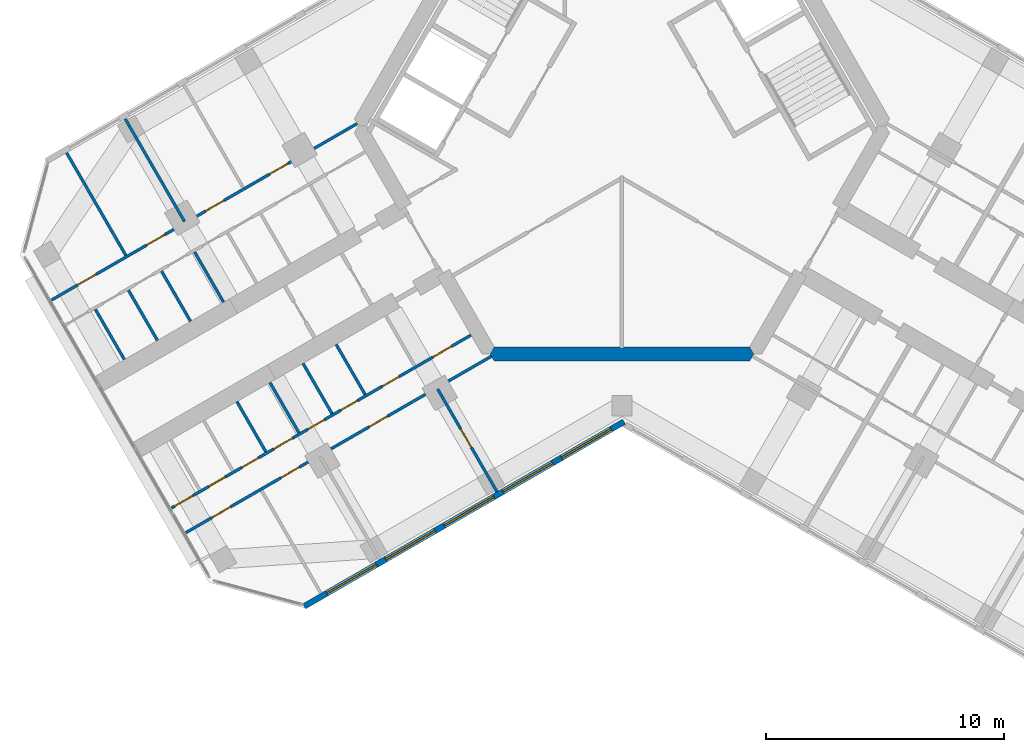
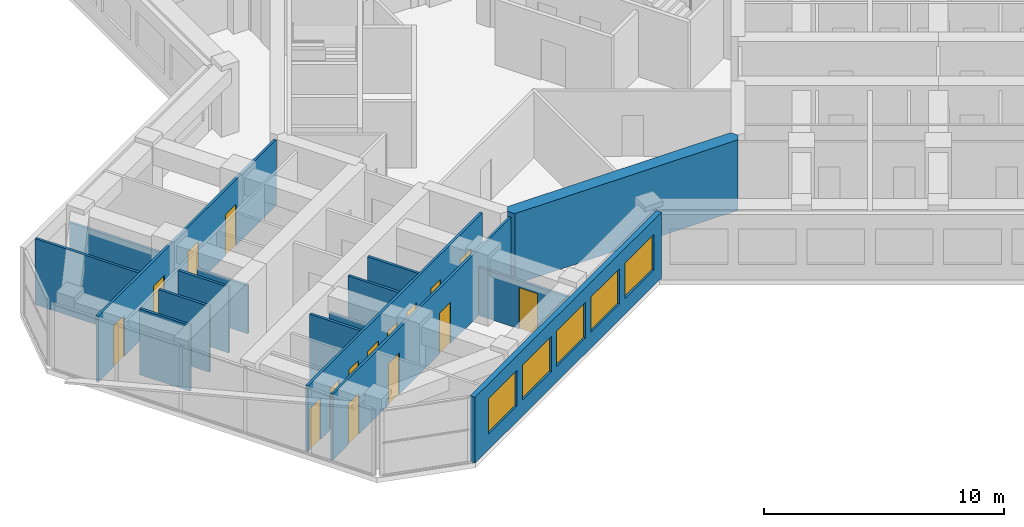
# One storey, part 8 of 16: 16 doors, 16 walls, 5 windows, 21 openings.
"""IFC4 building model written with IfcOpenShell, lengths in metres."""

import ifcopenshell
import ifcopenshell.guid

model = None  # the IFC model being written
_history = None  # IfcOwnerHistory: only IFC2X3 demands one
_inside = {}  # id of a spatial element -> (the spatial element, [elements in it])
_under = {}  # id of a project, library or spatial element -> (it, [spatial elements below it])
_declared = {}  # id of a project -> (the project, [libraries it declares])
_typed = {}  # id of a type object -> (the type object, [elements of that type])
_made_of = {}  # id of a material, layer set ... -> (it, [elements and type objects made of it])


def new_model(schema):
    """Start an empty IFC model of exactly this schema.

    Asked for "IFC4X3", IfcOpenShell would pick the latest addendum, in which some entities
    have other attributes; the version numbers below select the first issue.
    IFC2X3 requires an IfcOwnerHistory on every rooted entity: one is made here for all.
    """
    global model, _history
    if schema == "IFC4X3":
        model = ifcopenshell.file(schema_version=(4, 3, 0, 0))
    else:
        model = ifcopenshell.file(schema=schema)
    _inside.clear()
    _under.clear()
    _declared.clear()
    _typed.clear()
    _made_of.clear()
    _history = None
    if model.schema == "IFC2X3":
        org = make("IfcOrganization", Name="unknown")
        user = make(
            "IfcPersonAndOrganization",
            ThePerson=make("IfcPerson", FamilyName="unknown"),
            TheOrganization=org,
        )
        app = make(
            "IfcApplication",
            ApplicationDeveloper=org,
            Version="unknown",
            ApplicationFullName="unknown",
            ApplicationIdentifier="unknown",
        )
        _history = make(
            "IfcOwnerHistory",
            OwningUser=user,
            OwningApplication=app,
            ChangeAction="ADDED",
            CreationDate=0,
        )
    return model


def make(cls, **values):
    """One entity of the class cls with the attributes given. An attribute that is None is left unset."""
    return model.create_entity(
        cls, **{name: value for name, value in values.items() if value is not None}
    )


def rooted(cls, **values):
    """An entity with a GlobalId (a new one), such as an element, a storey or a relation."""
    return make(cls, GlobalId=ifcopenshell.guid.new(), OwnerHistory=_history, **values)


def si_unit(unit_type, name, prefix=None):
    """IfcSIUnit, for example si_unit("LENGTHUNIT", "METRE", prefix="MILLI")."""
    return make("IfcSIUnit", UnitType=unit_type, Prefix=prefix, Name=name)


def assignment(units):
    """IfcUnitAssignment: the units of a project."""
    return None if units is None else make("IfcUnitAssignment", Units=units)


def point(xyz):
    """IfcCartesianPoint."""
    return None if xyz is None else make("IfcCartesianPoint", Coordinates=xyz)


def direction(xyz):
    """IfcDirection."""
    return None if xyz is None else make("IfcDirection", DirectionRatios=xyz)


def frame(location, z_axis=None, x_axis=None):
    """IfcAxis2Placement3D, a coordinate frame: its origin and axes. An axis left out is left unset."""
    return make(
        "IfcAxis2Placement3D",
        Location=point(location),
        Axis=direction(z_axis),
        RefDirection=direction(x_axis),
    )


def frame_2d(location, x_axis=None):
    """IfcAxis2Placement2D, a coordinate frame in the plane: its origin and x axis."""
    return make(
        "IfcAxis2Placement2D", Location=point(location), RefDirection=direction(x_axis)
    )


def origin():
    """The frame at (0, 0, 0) with its axes left unset."""
    return frame((0.0, 0.0, 0.0))


def place(relative_to, where):
    """IfcLocalPlacement: puts the frame where relative to a parent placement (None: the world)."""
    return make(
        "IfcLocalPlacement", PlacementRelTo=relative_to, RelativePlacement=where
    )


def context(
    kind, dimensions, precision=None, world=None, true_north=None, identifier=None
):
    """IfcGeometricRepresentationContext, for example the 3D "Model" context."""
    return make(
        "IfcGeometricRepresentationContext",
        ContextIdentifier=identifier,
        ContextType=kind,
        CoordinateSpaceDimension=dimensions,
        Precision=precision,
        WorldCoordinateSystem=world,
        TrueNorth=true_north,
    )


def subcontext(parent, identifier, kind, view, scale=None):
    """IfcGeometricRepresentationSubContext, for example "Body" below "Model"."""
    return make(
        "IfcGeometricRepresentationSubContext",
        ContextIdentifier=identifier,
        ContextType=kind,
        ParentContext=parent,
        TargetScale=scale,
        TargetView=view,
    )


def project(units=None, contexts=None):
    """IfcProject with its units and contexts."""
    return rooted(
        "IfcProject",
        Name="project",
        RepresentationContexts=contexts,
        UnitsInContext=assignment(units),
    )


def spatial(cls, under=None, at=None, **own):
    """A site, building, storey or space (cls), placed at a placement, below another one or the project."""
    s = rooted(cls, ObjectPlacement=at, **own)
    if under is not None:
        _under.setdefault(under.id(), (under, []))[1].append(s)
    return s


def polyline(points):
    """IfcPolyline through the points."""
    return make("IfcPolyline", Points=[point(p) for p in points])


def profile(cls, at=None, kind="AREA", **sizes):
    """A parametric profile (cls). Its sizes go by their IFC names, for example OverallWidth=200.0."""
    return make(cls, ProfileType=kind, Position=at, **sizes)


def rectangle(**sizes):
    """IfcRectangleProfileDef."""
    return profile("IfcRectangleProfileDef", **sizes)


def outline(outer, holes=None, kind="AREA"):
    """IfcArbitraryClosedProfileDef: a profile drawn as a closed curve; with holes, ...WithVoids."""
    if holes is None:
        return make("IfcArbitraryClosedProfileDef", ProfileType=kind, OuterCurve=outer)
    return make(
        "IfcArbitraryProfileDefWithVoids",
        ProfileType=kind,
        OuterCurve=outer,
        InnerCurves=holes,
    )


def extrude(swept, where, along, depth):
    """IfcExtrudedAreaSolid: the profile swept, set in the frame where, extruded along a direction by depth."""
    return make(
        "IfcExtrudedAreaSolid",
        SweptArea=swept,
        Position=where,
        ExtrudedDirection=direction(along),
        Depth=depth,
    )


def shape(context_of_items, identifier, shape_type, items):
    """IfcShapeRepresentation: the items that make up one representation, for example the "Body"."""
    return make(
        "IfcShapeRepresentation",
        ContextOfItems=context_of_items,
        RepresentationIdentifier=identifier,
        RepresentationType=shape_type,
        Items=items,
    )


def material(Name=None, Category=None):
    """IfcMaterial."""
    return make("IfcMaterial", Name=Name, Category=Category)


def layer(
    of_material, thickness, ventilated=None, Name=None, Category=None, Priority=None
):
    """IfcMaterialLayer: one layer of a wall or slab, of a material (None: an air gap)."""
    return make(
        "IfcMaterialLayer",
        Material=of_material,
        LayerThickness=thickness,
        IsVentilated=ventilated,
        Name=Name,
        Category=Category,
        Priority=Priority,
    )


def layer_set(layers, Name=None):
    """IfcMaterialLayerSet."""
    return make("IfcMaterialLayerSet", MaterialLayers=layers, LayerSetName=Name)


def made_of(thing, what):
    """Note that an element or type object is made of a material, layer set ...; save() writes the relation."""
    if what is not None:
        _made_of.setdefault(what.id(), (what, []))[1].append(thing)
    return thing


def type_object(cls, material=None, **own):
    """A type object (cls), such as IfcWallType, which elements share."""
    return made_of(rooted(cls, **own), material)


def element(
    cls,
    number,
    at=None,
    inside=None,
    cuts=None,
    type_object=None,
    material=None,
    context=None,
    identifier="Body",
    shape_type=None,
    held_by="IfcProductDefinitionShape",
    body=None,
    shapes=None,
    **own,
):
    """One element of the class cls, such as IfcWall. Its Tag is "e" and its number.

    at: its placement. inside: the storey or other place that contains it. cuts: it is an
    opening in that element (IfcRelVoidsElement). A single representation is given by context,
    identifier, shape_type and body (its items); several are given by shapes. held_by: the class
    of the entity that holds the representations. save() writes the other relations.
    """
    e = rooted(cls, Tag="e%d" % number, ObjectPlacement=at, **own)
    if body is not None:
        shapes = [shape(context, identifier, shape_type, body)]
    if shapes is not None:
        e.Representation = make(held_by, Representations=shapes)
    if inside is not None:
        _inside.setdefault(inside.id(), (inside, []))[1].append(e)
    if cuts is not None:
        rooted(
            "IfcRelVoidsElement", RelatingBuildingElement=cuts, RelatedOpeningElement=e
        )
    if type_object is not None:
        _typed.setdefault(type_object.id(), (type_object, []))[1].append(e)
    return made_of(e, material)


def fill(opening, filler):
    """IfcRelFillsElement: the door or window that sits in an opening."""
    return rooted(
        "IfcRelFillsElement",
        RelatingOpeningElement=opening,
        RelatedBuildingElement=filler,
    )


def aggregate(whole, parts):
    """IfcRelAggregates: a whole, such as a stair, and the parts it consists of."""
    return rooted("IfcRelAggregates", RelatingObject=whole, RelatedObjects=parts)


def save(model, path):
    """Write the relations noted so far, then the file.

    IfcRelAggregates (storeys below a building ...), IfcRelContainedInSpatialStructure (elements
    in a storey), IfcRelDefinesByType, IfcRelAssociatesMaterial and IfcRelDeclares: one each for
    every whole, place, type object, material and project.
    """
    for whole, parts in _under.values():
        aggregate(whole, parts)
    for where, things in _inside.values():
        rooted(
            "IfcRelContainedInSpatialStructure",
            RelatedElements=things,
            RelatingStructure=where,
        )
    for kind, things in _typed.values():
        rooted("IfcRelDefinesByType", RelatedObjects=things, RelatingType=kind)
    for what, things in _made_of.values():
        rooted("IfcRelAssociatesMaterial", RelatedObjects=things, RelatingMaterial=what)
    for by, libraries in _declared.values():
        rooted("IfcRelDeclares", RelatingContext=by, RelatedDefinitions=libraries)
    model.write(path)


model = new_model("IFC4")

# Units and contexts
model_context = context("Model", 3, precision=1e-05, world=origin(), true_north=direction((0.0, 1.0)))
body_context = subcontext(model_context, "Body", "Model", "MODEL_VIEW")
ifc_project = project(units=[si_unit("LENGTHUNIT", "METRE"), si_unit("AREAUNIT", "SQUARE_METRE"), si_unit("VOLUMEUNIT", "CUBIC_METRE"), si_unit("PLANEANGLEUNIT", "RADIAN"), si_unit("MASSUNIT", "GRAM", prefix="KILO")], contexts=[model_context])

# Site, building, storey
site_placement = place(None, origin())
site = spatial("IfcSite", under=ifc_project, at=site_placement, CompositionType="ELEMENT")
building_placement = place(site_placement, origin())
building = spatial("IfcBuilding", under=site, at=building_placement, Name="Kosmar Iwan School Tower", CompositionType="ELEMENT")
storey_placement = place(building_placement, frame((0.0, 0.0, 246.0)))
storey = spatial("IfcBuildingStorey", under=building, at=storey_placement, Name="L62", CompositionType="ELEMENT", Elevation=246.0)

# Wall
ifc_material_1 = material(Name="Concrete C50/60", Category="concrete")
ifc_layer_1 = layer(ifc_material_1, 0.60009765625)
ifc_layer_set_1 = layer_set([ifc_layer_1], Name="Core wall 600")
wall_type_1 = type_object("IfcWallType", Name="Core wall 600", PredefinedType="SHEAR", material=ifc_layer_set_1)
wall_1_placement = place(storey_placement, origin())
element("IfcWall", 1, at=wall_1_placement, inside=storey, type_object=wall_type_1, Name="Core wall F270", PredefinedType="SHEAR", context=body_context, shape_type="SweptSolid", body=[
    extrude(outline(polyline([(-5.369384765625, -9.89990234375), (5.369384765625, -9.89990234375), (5.54248046875, -9.60009765625), (5.369384765625, -9.300048828125), (-5.369384765625, -9.300048828125), (-5.54248046875, -9.60009765625), (-5.369384765625, -9.89990234375)])), origin(), (0.0, 0.0, 1.0), 3.60009765625),
])

# Wall, openings, doors
ifc_material_2 = material(Name="Gypsum board on steel studs", Category="steel")
ifc_layer_2 = layer(ifc_material_2, 0.1201171875)
ifc_layer_set_2 = layer_set([ifc_layer_2], Name="Dwelling partition 120")
wall_type_2 = type_object("IfcWallType", Name="Dwelling partition 120", PredefinedType="PARTITIONING", material=ifc_layer_set_2)
wall_2_placement = place(storey_placement, frame((-6.3486328125, -8.8037109375, 0.0), z_axis=(0.0, 0.0, 1.0), x_axis=(-0.866020949409, -0.500007715126, 0.0)))
wall_2 = element("IfcWall", 2, at=wall_2_placement, inside=storey, type_object=wall_type_2, Name="Partition L62-BL1-W1", PredefinedType="PARTITIONING", context=body_context, shape_type="SweptSolid", body=[
    extrude(rectangle(XDim=14.545166015625, YDim=0.1201171875, at=frame_2d((7.2724609375, 0.0))), origin(), (0.0, 0.0, 1.0), 3.35009765625),
])
opening_1_placement = place(wall_2_placement, frame((0.949951171875, 0.0, 0.0)))
opening_1 = element("IfcOpeningElement", 3, at=opening_1_placement, cuts=wall_2, Name="Opening D2", PredefinedType="OPENING", context=body_context, shape_type="SweptSolid", body=[
    extrude(rectangle(XDim=0.89990234375, YDim=2.10009765625, at=frame_2d((0.449951171875, 1.050048828125))), frame((0.0, 0.072021484375, 0.0), z_axis=(0.0, -1.0, 0.0), x_axis=(1.0, 0.0, 0.0)), (0.0, 0.0, 1.0), 0.14404296875),
])
opening_2_placement = place(wall_2_placement, frame((3.505126953125, 0.0, 0.0)))
opening_2 = element("IfcOpeningElement", 4, at=opening_2_placement, cuts=wall_2, Name="Opening D3", PredefinedType="OPENING", context=body_context, shape_type="SweptSolid", body=[
    extrude(rectangle(XDim=0.800048828125, YDim=2.10009765625, at=frame_2d((0.39990234375, 1.050048828125))), frame((0.0, 0.072021484375, 0.0), z_axis=(0.0, -1.0, 0.0), x_axis=(1.0, 0.0, 0.0)), (0.0, 0.0, 1.0), 0.14404296875),
])
opening_3_placement = place(wall_2_placement, frame((5.513427734375, 0.0, 0.0)))
opening_3 = element("IfcOpeningElement", 5, at=opening_3_placement, cuts=wall_2, Name="Opening D3", PredefinedType="OPENING", context=body_context, shape_type="SweptSolid", body=[
    extrude(rectangle(XDim=0.800048828125, YDim=2.10009765625, at=frame_2d((0.39990234375, 1.050048828125))), frame((0.0, 0.072021484375, 0.0), z_axis=(0.0, -1.0, 0.0), x_axis=(1.0, 0.0, 0.0)), (0.0, 0.0, 1.0), 0.14404296875),
])
opening_4_placement = place(wall_2_placement, frame((7.1201171875, 0.0, 0.0)))
opening_4 = element("IfcOpeningElement", 6, at=opening_4_placement, cuts=wall_2, Name="Opening D3", PredefinedType="OPENING", context=body_context, shape_type="SweptSolid", body=[
    extrude(rectangle(XDim=0.800048828125, YDim=2.10009765625, at=frame_2d((0.39990234375, 1.050048828125))), frame((0.0, 0.072021484375, 0.0), z_axis=(0.0, -1.0, 0.0), x_axis=(1.0, 0.0, 0.0)), (0.0, 0.0, 1.0), 0.14404296875),
])
opening_5_placement = place(wall_2_placement, frame((8.6767578125, 0.0, 0.0)))
opening_5 = element("IfcOpeningElement", 7, at=opening_5_placement, cuts=wall_2, Name="Opening D2", PredefinedType="OPENING", context=body_context, shape_type="SweptSolid", body=[
    extrude(rectangle(XDim=0.89990234375, YDim=2.10009765625, at=frame_2d((0.449951171875, 1.050048828125))), frame((0.0, 0.072021484375, 0.0), z_axis=(0.0, -1.0, 0.0), x_axis=(1.0, 0.0, 0.0)), (0.0, 0.0, 1.0), 0.14404296875),
])
opening_6_placement = place(wall_2_placement, frame((10.333251953125, 0.0, 0.0)))
opening_6 = element("IfcOpeningElement", 8, at=opening_6_placement, cuts=wall_2, Name="Opening D3", PredefinedType="OPENING", context=body_context, shape_type="SweptSolid", body=[
    extrude(rectangle(XDim=0.800048828125, YDim=2.10009765625, at=frame_2d((0.39990234375, 1.050048828125))), frame((0.0, 0.072021484375, 0.0), z_axis=(0.0, -1.0, 0.0), x_axis=(1.0, 0.0, 0.0)), (0.0, 0.0, 1.0), 0.14404296875),
])
opening_7_placement = place(wall_2_placement, frame((11.93994140625, 0.0, 0.0)))
opening_7 = element("IfcOpeningElement", 9, at=opening_7_placement, cuts=wall_2, Name="Opening D3", PredefinedType="OPENING", context=body_context, shape_type="SweptSolid", body=[
    extrude(rectangle(XDim=0.800048828125, YDim=2.10009765625, at=frame_2d((0.39990234375, 1.050048828125))), frame((0.0, 0.072021484375, 0.0), z_axis=(0.0, -1.0, 0.0), x_axis=(1.0, 0.0, 0.0)), (0.0, 0.0, 1.0), 0.14404296875),
])
opening_8_placement = place(wall_2_placement, frame((13.49658203125, 0.0, 0.0)))
opening_8 = element("IfcOpeningElement", 10, at=opening_8_placement, cuts=wall_2, Name="Opening D2", PredefinedType="OPENING", context=body_context, shape_type="SweptSolid", body=[
    extrude(rectangle(XDim=0.89990234375, YDim=2.10009765625, at=frame_2d((0.449951171875, 1.050048828125))), frame((0.0, 0.072021484375, 0.0), z_axis=(0.0, -1.0, 0.0), x_axis=(1.0, 0.0, 0.0)), (0.0, 0.0, 1.0), 0.14404296875),
])
ifc_material_3 = material(Name="Timber door in timber frame", Category="wood")
door_type_1 = type_object("IfcDoorType", Name="Internal door 900x2100", OperationType="SINGLE_SWING_LEFT", PredefinedType="DOOR", material=ifc_material_3)
door_1_placement = place(opening_1_placement, origin())
door_1 = element("IfcDoor", 11, at=door_1_placement, inside=storey, type_object=door_type_1, Name="Entrance hall door L62-BL1-S1", OperationType="SINGLE_SWING_LEFT", OverallHeight=2.10009765625, OverallWidth=0.89990234375, PredefinedType="DOOR", context=body_context, shape_type="SweptSolid", body=[
    extrude(rectangle(XDim=0.89990234375, YDim=2.10009765625, at=frame_2d((0.449951171875, 1.050048828125))), frame((0.0, 0.02490234375, 0.0), z_axis=(0.0, -1.0, 0.0), x_axis=(1.0, 0.0, 0.0)), (0.0, 0.0, 1.0), 0.050048828125),
])
fill(opening_1, door_1)
door_2_placement = place(opening_5_placement, origin())
door_2 = element("IfcDoor", 12, at=door_2_placement, inside=storey, type_object=door_type_1, Name="Pantry door L62-BL1-S5", OperationType="SINGLE_SWING_RIGHT", OverallHeight=2.10009765625, OverallWidth=0.89990234375, PredefinedType="DOOR", context=body_context, shape_type="SweptSolid", body=[
    extrude(rectangle(XDim=0.89990234375, YDim=2.10009765625, at=frame_2d((0.449951171875, 1.050048828125))), frame((0.0, 0.02490234375, 0.0), z_axis=(0.0, -1.0, 0.0), x_axis=(1.0, 0.0, 0.0)), (0.0, 0.0, 1.0), 0.050048828125),
])
fill(opening_5, door_2)
door_3_placement = place(opening_8_placement, origin())
door_3 = element("IfcDoor", 13, at=door_3_placement, inside=storey, type_object=door_type_1, Name="Utility room door L62-BL1-S8", OperationType="SINGLE_SWING_RIGHT", OverallHeight=2.10009765625, OverallWidth=0.89990234375, PredefinedType="DOOR", context=body_context, shape_type="SweptSolid", body=[
    extrude(rectangle(XDim=0.89990234375, YDim=2.10009765625, at=frame_2d((0.449951171875, 1.050048828125))), frame((0.0, 0.02490234375, 0.0), z_axis=(0.0, -1.0, 0.0), x_axis=(1.0, 0.0, 0.0)), (0.0, 0.0, 1.0), 0.050048828125),
])
fill(opening_8, door_3)
ifc_material_4 = material(Name="Timber door in timber frame", Category="wood")
door_type_2 = type_object("IfcDoorType", Name="Sanitary room door 800x2100", OperationType="SINGLE_SWING_LEFT", PredefinedType="DOOR", material=ifc_material_4)
door_4_placement = place(opening_2_placement, origin())
door_4 = element("IfcDoor", 14, at=door_4_placement, inside=storey, type_object=door_type_2, Name="Bathroom door L62-BL1-S2", OperationType="SINGLE_SWING_LEFT", OverallHeight=2.10009765625, OverallWidth=0.800048828125, PredefinedType="DOOR", context=body_context, shape_type="SweptSolid", body=[
    extrude(rectangle(XDim=0.800048828125, YDim=2.10009765625, at=frame_2d((0.39990234375, 1.050048828125))), frame((0.0, 0.02490234375, 0.0), z_axis=(0.0, -1.0, 0.0), x_axis=(1.0, 0.0, 0.0)), (0.0, 0.0, 1.0), 0.050048828125),
])
fill(opening_2, door_4)
door_5_placement = place(opening_3_placement, origin())
door_5 = element("IfcDoor", 15, at=door_5_placement, inside=storey, type_object=door_type_2, Name="Grandparents' shower room door L62-BL1-S3", OperationType="SINGLE_SWING_LEFT", OverallHeight=2.10009765625, OverallWidth=0.800048828125, PredefinedType="DOOR", context=body_context, shape_type="SweptSolid", body=[
    extrude(rectangle(XDim=0.800048828125, YDim=2.10009765625, at=frame_2d((0.39990234375, 1.050048828125))), frame((0.0, 0.02490234375, 0.0), z_axis=(0.0, -1.0, 0.0), x_axis=(1.0, 0.0, 0.0)), (0.0, 0.0, 1.0), 0.050048828125),
])
fill(opening_3, door_5)
door_6_placement = place(opening_4_placement, origin())
door_6 = element("IfcDoor", 16, at=door_6_placement, inside=storey, type_object=door_type_2, Name="Shower room door L62-BL1-S4", OperationType="SINGLE_SWING_RIGHT", OverallHeight=2.10009765625, OverallWidth=0.800048828125, PredefinedType="DOOR", context=body_context, shape_type="SweptSolid", body=[
    extrude(rectangle(XDim=0.800048828125, YDim=2.10009765625, at=frame_2d((0.39990234375, 1.050048828125))), frame((0.0, 0.02490234375, 0.0), z_axis=(0.0, -1.0, 0.0), x_axis=(1.0, 0.0, 0.0)), (0.0, 0.0, 1.0), 0.050048828125),
])
fill(opening_4, door_6)
door_7_placement = place(opening_6_placement, origin())
door_7 = element("IfcDoor", 17, at=door_7_placement, inside=storey, type_object=door_type_2, Name="WC door L62-BL1-S6", OperationType="SINGLE_SWING_RIGHT", OverallHeight=2.10009765625, OverallWidth=0.800048828125, PredefinedType="DOOR", context=body_context, shape_type="SweptSolid", body=[
    extrude(rectangle(XDim=0.800048828125, YDim=2.10009765625, at=frame_2d((0.39990234375, 1.050048828125))), frame((0.0, 0.02490234375, 0.0), z_axis=(0.0, -1.0, 0.0), x_axis=(1.0, 0.0, 0.0)), (0.0, 0.0, 1.0), 0.050048828125),
])
fill(opening_6, door_7)
door_8_placement = place(opening_7_placement, origin())
door_8 = element("IfcDoor", 18, at=door_8_placement, inside=storey, type_object=door_type_2, Name="Store door L62-BL1-S7", OperationType="SINGLE_SWING_RIGHT", OverallHeight=2.10009765625, OverallWidth=0.800048828125, PredefinedType="DOOR", context=body_context, shape_type="SweptSolid", body=[
    extrude(rectangle(XDim=0.800048828125, YDim=2.10009765625, at=frame_2d((0.39990234375, 1.050048828125))), frame((0.0, 0.02490234375, 0.0), z_axis=(0.0, -1.0, 0.0), x_axis=(1.0, 0.0, 0.0)), (0.0, 0.0, 1.0), 0.050048828125),
])
fill(opening_7, door_8)

wall_3_placement = place(storey_placement, frame((-5.48876953125, -9.693115234375, 0.0), z_axis=(0.0, 0.0, 1.0), x_axis=(-0.866030301974, -0.499991515992, 0.0)))
wall_3 = element("IfcWall", 19, at=wall_3_placement, inside=storey, type_object=wall_type_2, Name="Partition L62-BL1-W2", PredefinedType="PARTITIONING", context=body_context, shape_type="SweptSolid", body=[
    extrude(rectangle(XDim=14.844970703125, YDim=0.1201171875, at=frame_2d((7.42236328125, 0.0))), origin(), (0.0, 0.0, 1.0), 3.35009765625),
])
opening_9_placement = place(wall_3_placement, frame((5.050048828125, 0.0, 0.0)))
opening_9 = element("IfcOpeningElement", 20, at=opening_9_placement, cuts=wall_3, Name="Opening D2", PredefinedType="OPENING", context=body_context, shape_type="SweptSolid", body=[
    extrude(rectangle(XDim=0.89990234375, YDim=2.10009765625, at=frame_2d((0.449951171875, 1.050048828125))), frame((0.0, 0.072021484375, 0.0), z_axis=(0.0, -1.0, 0.0), x_axis=(1.0, 0.0, 0.0)), (0.0, 0.0, 1.0), 0.14404296875),
])
opening_10_placement = place(wall_3_placement, frame((9.324951171875, 0.0, 0.0)))
opening_10 = element("IfcOpeningElement", 21, at=opening_10_placement, cuts=wall_3, Name="Opening D2", PredefinedType="OPENING", context=body_context, shape_type="SweptSolid", body=[
    extrude(rectangle(XDim=0.89990234375, YDim=2.10009765625, at=frame_2d((0.449951171875, 1.050048828125))), frame((0.0, 0.072021484375, 0.0), z_axis=(0.0, -1.0, 0.0), x_axis=(1.0, 0.0, 0.0)), (0.0, 0.0, 1.0), 0.14404296875),
])
opening_11_placement = place(wall_3_placement, frame((12.675048828125, 0.0, 0.0)))
opening_11 = element("IfcOpeningElement", 22, at=opening_11_placement, cuts=wall_3, Name="Opening D2", PredefinedType="OPENING", context=body_context, shape_type="SweptSolid", body=[
    extrude(rectangle(XDim=0.89990234375, YDim=2.10009765625, at=frame_2d((0.449951171875, 1.050048828125))), frame((0.0, 0.072021484375, 0.0), z_axis=(0.0, -1.0, 0.0), x_axis=(1.0, 0.0, 0.0)), (0.0, 0.0, 1.0), 0.14404296875),
])
door_9_placement = place(opening_9_placement, origin())
door_9 = element("IfcDoor", 23, at=door_9_placement, inside=storey, type_object=door_type_1, Name="Living room door L62-BL1-F2", OperationType="SINGLE_SWING_LEFT", OverallHeight=2.10009765625, OverallWidth=0.89990234375, PredefinedType="DOOR", context=body_context, shape_type="SweptSolid", body=[
    extrude(rectangle(XDim=0.89990234375, YDim=2.10009765625, at=frame_2d((0.449951171875, 1.050048828125))), frame((0.0, 0.02490234375, 0.0), z_axis=(0.0, -1.0, 0.0), x_axis=(1.0, 0.0, 0.0)), (0.0, 0.0, 1.0), 0.050048828125),
])
fill(opening_9, door_9)
door_10_placement = place(opening_10_placement, origin())
door_10 = element("IfcDoor", 24, at=door_10_placement, inside=storey, type_object=door_type_1, Name="Grandparents' suite door L62-BL1-F3", OperationType="SINGLE_SWING_RIGHT", OverallHeight=2.10009765625, OverallWidth=0.89990234375, PredefinedType="DOOR", context=body_context, shape_type="SweptSolid", body=[
    extrude(rectangle(XDim=0.89990234375, YDim=2.10009765625, at=frame_2d((0.449951171875, 1.050048828125))), frame((0.0, 0.02490234375, 0.0), z_axis=(0.0, -1.0, 0.0), x_axis=(1.0, 0.0, 0.0)), (0.0, 0.0, 1.0), 0.050048828125),
])
fill(opening_10, door_10)
door_11_placement = place(opening_11_placement, origin())
door_11 = element("IfcDoor", 25, at=door_11_placement, inside=storey, type_object=door_type_1, Name="Bedroom 1 door L62-BL1-F4", OperationType="SINGLE_SWING_RIGHT", OverallHeight=2.10009765625, OverallWidth=0.89990234375, PredefinedType="DOOR", context=body_context, shape_type="SweptSolid", body=[
    extrude(rectangle(XDim=0.89990234375, YDim=2.10009765625, at=frame_2d((0.449951171875, 1.050048828125))), frame((0.0, 0.02490234375, 0.0), z_axis=(0.0, -1.0, 0.0), x_axis=(1.0, 0.0, 0.0)), (0.0, 0.0, 1.0), 0.050048828125),
])
fill(opening_11, door_11)

# Wall, opening, door
wall_4_placement = place(storey_placement, frame((-7.75390625, -11.070068359375, 0.0), z_axis=(0.0, 0.0, 1.0), x_axis=(0.500011847778, -0.866018563358, 0.0)))
wall_4 = element("IfcWall", 26, at=wall_4_placement, inside=storey, type_object=wall_type_2, Name="Partition L62-BL1-X1", PredefinedType="PARTITIONING", context=body_context, shape_type="SweptSolid", body=[
    extrude(rectangle(XDim=4.990234375, YDim=0.1201171875, at=frame_2d((2.4951171875, 0.0))), origin(), (0.0, 0.0, 1.0), 2.449951171875),
])
opening_12_placement = place(wall_4_placement, frame((1.93994140625, 0.0, 0.0)))
opening_12 = element("IfcOpeningElement", 27, at=opening_12_placement, cuts=wall_4, Name="Opening D2", PredefinedType="OPENING", context=body_context, shape_type="SweptSolid", body=[
    extrude(rectangle(XDim=0.89990234375, YDim=2.10009765625, at=frame_2d((0.449951171875, 1.050048828125))), frame((0.0, 0.072021484375, 0.0), z_axis=(0.0, -1.0, 0.0), x_axis=(1.0, 0.0, 0.0)), (0.0, 0.0, 1.0), 0.14404296875),
])
door_12_placement = place(opening_12_placement, origin())
door_12 = element("IfcDoor", 28, at=door_12_placement, inside=storey, type_object=door_type_1, Name="Kitchen and dining room door L62-BL1-F1", OperationType="SINGLE_SWING_LEFT", OverallHeight=2.10009765625, OverallWidth=0.89990234375, PredefinedType="DOOR", context=body_context, shape_type="SweptSolid", body=[
    extrude(rectangle(XDim=0.89990234375, YDim=2.10009765625, at=frame_2d((0.449951171875, 1.050048828125))), frame((0.0, 0.02490234375, 0.0), z_axis=(0.0, -1.0, 0.0), x_axis=(1.0, 0.0, 0.0)), (0.0, 0.0, 1.0), 0.050048828125),
])
fill(opening_12, door_12)

# Walls
for number, where, z_axis, x_axis, name in (
    (29, (-12.02392578125, -9.19384765625, 0.0), (0.0, 0.0, 1.0), (0.500002508028, -0.866023955769, 0.0), "Partition L62-BL1-Y2"),
    (30, (-13.41552734375, -9.9970703125, 0.0), (0.0, 0.0, 1.0), (0.500002508028, -0.866023955769, 0.0), "Partition L62-BL1-Y3"),
):
    element("IfcWall", number, at=place(storey_placement, frame(where, z_axis=z_axis, x_axis=x_axis)), inside=storey, type_object=wall_type_2, Name=name, PredefinedType="PARTITIONING", context=body_context, shape_type="SweptSolid", body=[
        extrude(rectangle(XDim=2.43994140625, YDim=0.1201171875, at=frame_2d((1.219970703125, 0.0))), origin(), (0.0, 0.0, 1.0), 3.35009765625),
    ])
wall_5_placement = place(storey_placement, frame((-14.806884765625, -10.80029296875, 0.0), z_axis=(0.0, 0.0, 1.0), x_axis=(0.499959183527, -0.866048967903, 0.0)))
element("IfcWall", 31, at=wall_5_placement, inside=storey, type_object=wall_type_2, Name="Partition L62-BL1-Y4", PredefinedType="PARTITIONING", context=body_context, shape_type="SweptSolid", body=[
    extrude(rectangle(XDim=2.440185546875, YDim=0.1201171875, at=frame_2d((1.22021484375, 0.0))), origin(), (0.0, 0.0, 1.0), 2.449951171875),
])
wall_6_placement = place(storey_placement, frame((-16.1982421875, -11.603759765625, 0.0), z_axis=(0.0, 0.0, 1.0), x_axis=(0.500002508028, -0.866023955769, 0.0)))
element("IfcWall", 32, at=wall_6_placement, inside=storey, type_object=wall_type_2, Name="Partition L62-BL1-Y5", PredefinedType="PARTITIONING", context=body_context, shape_type="SweptSolid", body=[
    extrude(rectangle(XDim=2.43994140625, YDim=0.1201171875, at=frame_2d((1.219970703125, 0.0))), origin(), (0.0, 0.0, 1.0), 3.35009765625),
])

# Wall, openings, doors
wall_7_placement = place(storey_placement, frame((-11.138916015625, 0.093017578125, 0.0), z_axis=(0.0, 0.0, 1.0), x_axis=(-0.866030301974, -0.499991515992, 0.0)))
wall_7 = element("IfcWall", 33, at=wall_7_placement, inside=storey, type_object=wall_type_2, Name="Partition L62-BR1-W2", PredefinedType="PARTITIONING", context=body_context, shape_type="SweptSolid", body=[
    extrude(rectangle(XDim=14.844970703125, YDim=0.1201171875, at=frame_2d((7.42236328125, 0.0))), origin(), (0.0, 0.0, 1.0), 3.35009765625),
])
opening_13_placement = place(wall_7_placement, frame((3.35009765625, 0.0, 0.0)))
opening_13 = element("IfcOpeningElement", 34, at=opening_13_placement, cuts=wall_7, Name="Opening D2", PredefinedType="OPENING", context=body_context, shape_type="SweptSolid", body=[
    extrude(rectangle(XDim=0.89990234375, YDim=2.10009765625, at=frame_2d((0.449951171875, 1.050048828125))), frame((0.0, 0.072021484375, 0.0), z_axis=(0.0, -1.0, 0.0), x_axis=(1.0, 0.0, 0.0)), (0.0, 0.0, 1.0), 0.14404296875),
])
opening_14_placement = place(wall_7_placement, frame((6.47509765625, 0.0, 0.0)))
opening_14 = element("IfcOpeningElement", 35, at=opening_14_placement, cuts=wall_7, Name="Opening D2", PredefinedType="OPENING", context=body_context, shape_type="SweptSolid", body=[
    extrude(rectangle(XDim=0.89990234375, YDim=2.10009765625, at=frame_2d((0.449951171875, 1.050048828125))), frame((0.0, 0.072021484375, 0.0), z_axis=(0.0, -1.0, 0.0), x_axis=(1.0, 0.0, 0.0)), (0.0, 0.0, 1.0), 0.14404296875),
])
opening_15_placement = place(wall_7_placement, frame((9.324951171875, 0.0, 0.0)))
opening_15 = element("IfcOpeningElement", 36, at=opening_15_placement, cuts=wall_7, Name="Opening D2", PredefinedType="OPENING", context=body_context, shape_type="SweptSolid", body=[
    extrude(rectangle(XDim=0.89990234375, YDim=2.10009765625, at=frame_2d((0.449951171875, 1.050048828125))), frame((0.0, 0.072021484375, 0.0), z_axis=(0.0, -1.0, 0.0), x_axis=(1.0, 0.0, 0.0)), (0.0, 0.0, 1.0), 0.14404296875),
])
opening_16_placement = place(wall_7_placement, frame((12.675048828125, 0.0, 0.0)))
opening_16 = element("IfcOpeningElement", 37, at=opening_16_placement, cuts=wall_7, Name="Opening D2", PredefinedType="OPENING", context=body_context, shape_type="SweptSolid", body=[
    extrude(rectangle(XDim=0.89990234375, YDim=2.10009765625, at=frame_2d((0.449951171875, 1.050048828125))), frame((0.0, 0.072021484375, 0.0), z_axis=(0.0, -1.0, 0.0), x_axis=(1.0, 0.0, 0.0)), (0.0, 0.0, 1.0), 0.14404296875),
])
door_13_placement = place(opening_13_placement, origin())
door_13 = element("IfcDoor", 38, at=door_13_placement, inside=storey, type_object=door_type_1, Name="Living room and kitchen door L62-BR1-F1", OperationType="SINGLE_SWING_LEFT", OverallHeight=2.10009765625, OverallWidth=0.89990234375, PredefinedType="DOOR", context=body_context, shape_type="SweptSolid", body=[
    extrude(rectangle(XDim=0.89990234375, YDim=2.10009765625, at=frame_2d((0.449951171875, 1.050048828125))), frame((0.0, 0.02490234375, 0.0), z_axis=(0.0, -1.0, 0.0), x_axis=(1.0, 0.0, 0.0)), (0.0, 0.0, 1.0), 0.050048828125),
])
fill(opening_13, door_13)
door_14_placement = place(opening_14_placement, origin())
door_14 = element("IfcDoor", 39, at=door_14_placement, inside=storey, type_object=door_type_1, Name="Grandparents' suite door L62-BR1-F2", OperationType="SINGLE_SWING_LEFT", OverallHeight=2.10009765625, OverallWidth=0.89990234375, PredefinedType="DOOR", context=body_context, shape_type="SweptSolid", body=[
    extrude(rectangle(XDim=0.89990234375, YDim=2.10009765625, at=frame_2d((0.449951171875, 1.050048828125))), frame((0.0, 0.02490234375, 0.0), z_axis=(0.0, -1.0, 0.0), x_axis=(1.0, 0.0, 0.0)), (0.0, 0.0, 1.0), 0.050048828125),
])
fill(opening_14, door_14)
door_15_placement = place(opening_15_placement, origin())
door_15 = element("IfcDoor", 40, at=door_15_placement, inside=storey, type_object=door_type_1, Name="Bedroom 1 door L62-BR1-F3", OperationType="SINGLE_SWING_RIGHT", OverallHeight=2.10009765625, OverallWidth=0.89990234375, PredefinedType="DOOR", context=body_context, shape_type="SweptSolid", body=[
    extrude(rectangle(XDim=0.89990234375, YDim=2.10009765625, at=frame_2d((0.449951171875, 1.050048828125))), frame((0.0, 0.02490234375, 0.0), z_axis=(0.0, -1.0, 0.0), x_axis=(1.0, 0.0, 0.0)), (0.0, 0.0, 1.0), 0.050048828125),
])
fill(opening_15, door_15)
door_16_placement = place(opening_16_placement, origin())
door_16 = element("IfcDoor", 41, at=door_16_placement, inside=storey, type_object=door_type_1, Name="Study door L62-BR1-F4", OperationType="SINGLE_SWING_RIGHT", OverallHeight=2.10009765625, OverallWidth=0.89990234375, PredefinedType="DOOR", context=body_context, shape_type="SweptSolid", body=[
    extrude(rectangle(XDim=0.89990234375, YDim=2.10009765625, at=frame_2d((0.449951171875, 1.050048828125))), frame((0.0, 0.02490234375, 0.0), z_axis=(0.0, -1.0, 0.0), x_axis=(1.0, 0.0, 0.0)), (0.0, 0.0, 1.0), 0.050048828125),
])
fill(opening_16, door_16)

# Walls
wall_8_placement = place(storey_placement, frame((-18.400146484375, -4.030029296875, 0.0), z_axis=(0.0, 0.0, 1.0), x_axis=(-0.500011847778, 0.866018563358, 0.0)))
element("IfcWall", 42, at=wall_8_placement, inside=storey, type_object=wall_type_2, Name="Partition L62-BR1-X2", PredefinedType="PARTITIONING", context=body_context, shape_type="SweptSolid", body=[
    extrude(rectangle(XDim=4.990234375, YDim=0.1201171875, at=frame_2d((2.4951171875, 0.0))), origin(), (0.0, 0.0, 1.0), 2.449951171875),
])
wall_9_placement = place(storey_placement, frame((-20.868408203125, -5.455078125, 0.0), z_axis=(0.0, 0.0, 1.0), x_axis=(-0.499975153383, 0.86603974851, 0.0)))
element("IfcWall", 43, at=wall_9_placement, inside=storey, type_object=wall_type_2, Name="Partition L62-BR1-X3", PredefinedType="PARTITIONING", context=body_context, shape_type="SweptSolid", body=[
    extrude(rectangle(XDim=4.989990234375, YDim=0.1201171875, at=frame_2d((2.4951171875, 0.0))), origin(), (0.0, 0.0, 1.0), 3.35009765625),
])
wall_10_placement = place(storey_placement, frame((-16.7568359375, -7.4228515625, 0.0), z_axis=(0.0, 0.0, 1.0), x_axis=(-0.500002508028, 0.866023955769, 0.0)))
element("IfcWall", 44, at=wall_10_placement, inside=storey, type_object=wall_type_2, Name="Partition L62-BR1-Y4", PredefinedType="PARTITIONING", context=body_context, shape_type="SweptSolid", body=[
    extrude(rectangle(XDim=2.43994140625, YDim=0.1201171875, at=frame_2d((1.219970703125, 0.0))), origin(), (0.0, 0.0, 1.0), 2.449951171875),
])
wall_11_placement = place(storey_placement, frame((-18.148193359375, -8.226318359375, 0.0), z_axis=(0.0, 0.0, 1.0), x_axis=(-0.500034220881, 0.866005645448, 0.0)))
element("IfcWall", 45, at=wall_11_placement, inside=storey, type_object=wall_type_2, Name="Partition L62-BR1-Y5", PredefinedType="PARTITIONING", context=body_context, shape_type="SweptSolid", body=[
    extrude(rectangle(XDim=2.440185546875, YDim=0.1201171875, at=frame_2d((1.22021484375, 0.0))), origin(), (0.0, 0.0, 1.0), 3.35009765625),
])
wall_12_placement = place(storey_placement, frame((-19.539794921875, -9.029541015625, 0.0), z_axis=(0.0, 0.0, 1.0), x_axis=(-0.500002508028, 0.866023955769, 0.0)))
element("IfcWall", 46, at=wall_12_placement, inside=storey, type_object=wall_type_2, Name="Partition L62-BR1-Y6", PredefinedType="PARTITIONING", context=body_context, shape_type="SweptSolid", body=[
    extrude(rectangle(XDim=2.43994140625, YDim=0.1201171875, at=frame_2d((1.219970703125, 0.0))), origin(), (0.0, 0.0, 1.0), 3.35009765625),
])
wall_13_placement = place(storey_placement, frame((-20.93115234375, -9.8330078125, 0.0), z_axis=(0.0, 0.0, 1.0), x_axis=(-0.499959183527, 0.866048967903, 0.0)))
element("IfcWall", 47, at=wall_13_placement, inside=storey, type_object=wall_type_2, Name="Partition L62-BR1-Y7", PredefinedType="PARTITIONING", context=body_context, shape_type="SweptSolid", body=[
    extrude(rectangle(XDim=2.440185546875, YDim=0.1201171875, at=frame_2d((1.22021484375, 0.0))), origin(), (0.0, 0.0, 1.0), 3.35009765625),
])

# Wall, openings, windows
ifc_material_5 = material(Name="Black aluminium rainscreen on insulated framing", Category="aluminium")
ifc_layer_3 = layer(ifc_material_5, 0.25)
ifc_layer_set_3 = layer_set([ifc_layer_3], Name="External wall rainscreen 250")
wall_type_3 = type_object("IfcWallType", Name="External wall rainscreen 250", PredefinedType="SOLIDWALL", material=ifc_layer_set_3)
wall_14_placement = place(storey_placement, frame((0.088134765625, -12.44873046875, 0.0), z_axis=(0.0, 0.0, 1.0), x_axis=(-0.866029894971, -0.499992220956, 0.0)))
wall_14 = element("IfcWall", 48, at=wall_14_placement, inside=storey, type_object=wall_type_3, Name="External wall BL L62", PredefinedType="SOLIDWALL", context=body_context, shape_type="SweptSolid", body=[
    extrude(rectangle(XDim=15.537353515625, YDim=0.25, at=frame_2d((7.7685546875, 0.0))), origin(), (0.0, 0.0, 1.0), 3.35009765625),
])
opening_17_placement = place(wall_14_placement, frame((0.626953125, 0.0, 0.800048828125)))
opening_17 = element("IfcOpeningElement", 49, at=opening_17_placement, cuts=wall_14, Name="Opening W5", PredefinedType="OPENING", context=body_context, shape_type="SweptSolid", body=[
    extrude(rectangle(XDim=2.39990234375, YDim=1.800048828125, at=frame_2d((1.199951171875, 0.89990234375))), frame((0.0, 0.136962890625, 0.0), z_axis=(0.0, -1.0, 0.0), x_axis=(1.0, 0.0, 0.0)), (0.0, 0.0, 1.0), 0.27392578125),
])
opening_18_placement = place(wall_14_placement, frame((3.47705078125, 0.0, 0.800048828125)))
opening_18 = element("IfcOpeningElement", 50, at=opening_18_placement, cuts=wall_14, Name="Opening W5", PredefinedType="OPENING", context=body_context, shape_type="SweptSolid", body=[
    extrude(rectangle(XDim=2.39990234375, YDim=1.800048828125, at=frame_2d((1.199951171875, 0.89990234375))), frame((0.0, 0.136962890625, 0.0), z_axis=(0.0, -1.0, 0.0), x_axis=(1.0, 0.0, 0.0)), (0.0, 0.0, 1.0), 0.27392578125),
])
opening_19_placement = place(wall_14_placement, frame((6.326904296875, 0.0, 0.800048828125)))
opening_19 = element("IfcOpeningElement", 51, at=opening_19_placement, cuts=wall_14, Name="Opening W5", PredefinedType="OPENING", context=body_context, shape_type="SweptSolid", body=[
    extrude(rectangle(XDim=2.39990234375, YDim=1.800048828125, at=frame_2d((1.199951171875, 0.89990234375))), frame((0.0, 0.136962890625, 0.0), z_axis=(0.0, -1.0, 0.0), x_axis=(1.0, 0.0, 0.0)), (0.0, 0.0, 1.0), 0.27392578125),
])
opening_20_placement = place(wall_14_placement, frame((9.177001953125, 0.0, 0.800048828125)))
opening_20 = element("IfcOpeningElement", 52, at=opening_20_placement, cuts=wall_14, Name="Opening W5", PredefinedType="OPENING", context=body_context, shape_type="SweptSolid", body=[
    extrude(rectangle(XDim=2.39990234375, YDim=1.800048828125, at=frame_2d((1.199951171875, 0.89990234375))), frame((0.0, 0.136962890625, 0.0), z_axis=(0.0, -1.0, 0.0), x_axis=(1.0, 0.0, 0.0)), (0.0, 0.0, 1.0), 0.27392578125),
])
opening_21_placement = place(wall_14_placement, frame((12.027099609375, 0.0, 0.800048828125)))
opening_21 = element("IfcOpeningElement", 53, at=opening_21_placement, cuts=wall_14, Name="Opening W5", PredefinedType="OPENING", context=body_context, shape_type="SweptSolid", body=[
    extrude(rectangle(XDim=2.39990234375, YDim=1.800048828125, at=frame_2d((1.199951171875, 0.89990234375))), frame((0.0, 0.136962890625, 0.0), z_axis=(0.0, -1.0, 0.0), x_axis=(1.0, 0.0, 0.0)), (0.0, 0.0, 1.0), 0.27392578125),
])
ifc_material_6 = material(Name="Black aluminium frame with dark triple glazing", Category="aluminium")
window_type = type_object("IfcWindowType", Name="Window 2400x1800", PartitioningType="SINGLE_PANEL", PredefinedType="WINDOW", material=ifc_material_6)
window_1_placement = place(opening_17_placement, origin())
window_1 = element("IfcWindow", 54, at=window_1_placement, inside=storey, type_object=window_type, Name="Window BL L62 -1", OverallHeight=1.800048828125, OverallWidth=2.39990234375, PartitioningType="SINGLE_PANEL", PredefinedType="WINDOW", context=body_context, shape_type="SweptSolid", body=[
    extrude(rectangle(XDim=2.39990234375, YDim=1.800048828125, at=frame_2d((1.199951171875, 0.89990234375))), frame((0.0, 0.030029296875, 0.0), z_axis=(0.0, -1.0, 0.0), x_axis=(1.0, 0.0, 0.0)), (0.0, 0.0, 1.0), 0.06005859375),
])
fill(opening_17, window_1)
window_2_placement = place(opening_18_placement, origin())
window_2 = element("IfcWindow", 55, at=window_2_placement, inside=storey, type_object=window_type, Name="Window BL L62 0", OverallHeight=1.800048828125, OverallWidth=2.39990234375, PartitioningType="SINGLE_PANEL", PredefinedType="WINDOW", context=body_context, shape_type="SweptSolid", body=[
    extrude(rectangle(XDim=2.39990234375, YDim=1.800048828125, at=frame_2d((1.199951171875, 0.89990234375))), frame((0.0, 0.030029296875, 0.0), z_axis=(0.0, -1.0, 0.0), x_axis=(1.0, 0.0, 0.0)), (0.0, 0.0, 1.0), 0.06005859375),
])
fill(opening_18, window_2)
window_3_placement = place(opening_19_placement, origin())
window_3 = element("IfcWindow", 56, at=window_3_placement, inside=storey, type_object=window_type, Name="Window BL L62 1", OverallHeight=1.800048828125, OverallWidth=2.39990234375, PartitioningType="SINGLE_PANEL", PredefinedType="WINDOW", context=body_context, shape_type="SweptSolid", body=[
    extrude(rectangle(XDim=2.39990234375, YDim=1.800048828125, at=frame_2d((1.199951171875, 0.89990234375))), frame((0.0, 0.030029296875, 0.0), z_axis=(0.0, -1.0, 0.0), x_axis=(1.0, 0.0, 0.0)), (0.0, 0.0, 1.0), 0.06005859375),
])
fill(opening_19, window_3)
window_4_placement = place(opening_20_placement, origin())
window_4 = element("IfcWindow", 57, at=window_4_placement, inside=storey, type_object=window_type, Name="Window BL L62 2", OverallHeight=1.800048828125, OverallWidth=2.39990234375, PartitioningType="SINGLE_PANEL", PredefinedType="WINDOW", context=body_context, shape_type="SweptSolid", body=[
    extrude(rectangle(XDim=2.39990234375, YDim=1.800048828125, at=frame_2d((1.199951171875, 0.89990234375))), frame((0.0, 0.030029296875, 0.0), z_axis=(0.0, -1.0, 0.0), x_axis=(1.0, 0.0, 0.0)), (0.0, 0.0, 1.0), 0.06005859375),
])
fill(opening_20, window_4)
window_5_placement = place(opening_21_placement, origin())
window_5 = element("IfcWindow", 58, at=window_5_placement, inside=storey, type_object=window_type, Name="Window BL L62 3", OverallHeight=1.800048828125, OverallWidth=2.39990234375, PartitioningType="SINGLE_PANEL", PredefinedType="WINDOW", context=body_context, shape_type="SweptSolid", body=[
    extrude(rectangle(XDim=2.39990234375, YDim=1.800048828125, at=frame_2d((1.199951171875, 0.89990234375))), frame((0.0, 0.030029296875, 0.0), z_axis=(0.0, -1.0, 0.0), x_axis=(1.0, 0.0, 0.0)), (0.0, 0.0, 1.0), 0.06005859375),
])
fill(opening_21, window_5)

save(model, "model.ifc")
